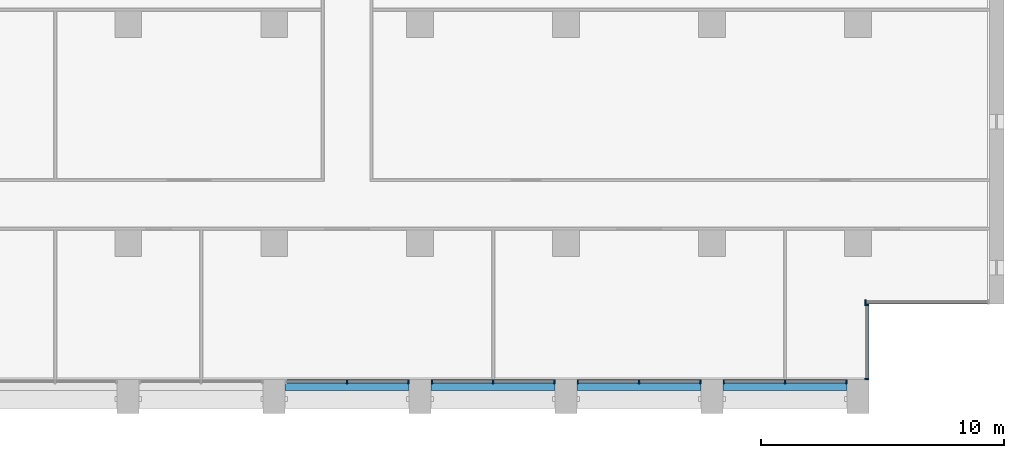
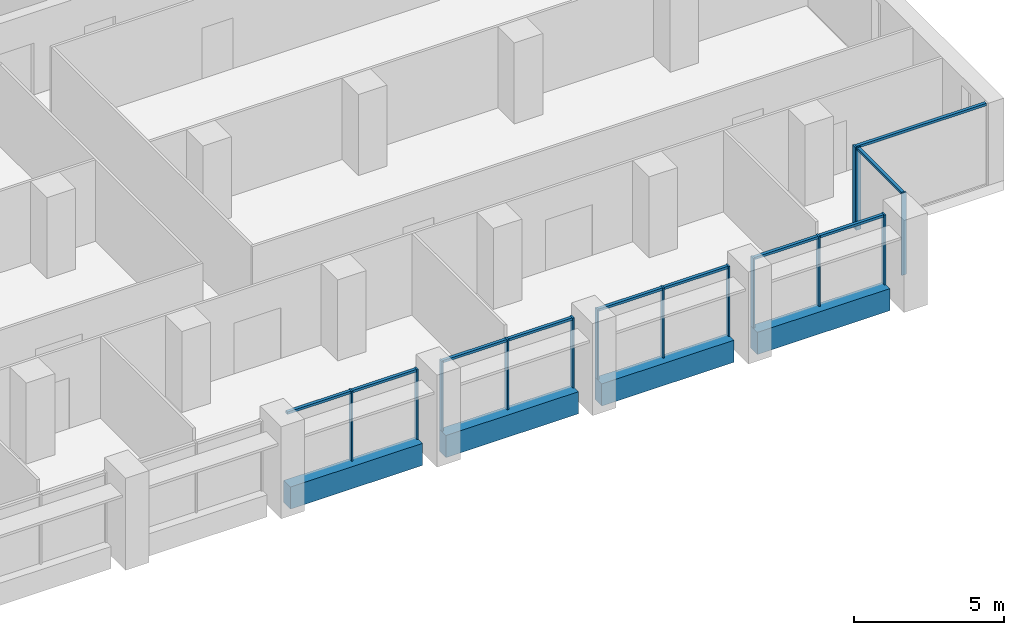
# One storey, part 3 of 17: 24 members, 4 beams, 6 elements without a shape of their own.
"""IFC4 building model written with IfcOpenShell, lengths in metres."""

import ifcopenshell
import ifcopenshell.guid

model = None  # the IFC model being written
_history = None  # IfcOwnerHistory: only IFC2X3 demands one
_inside = {}  # id of a spatial element -> (the spatial element, [elements in it])
_under = {}  # id of a project, library or spatial element -> (it, [spatial elements below it])
_declared = {}  # id of a project -> (the project, [libraries it declares])
_typed = {}  # id of a type object -> (the type object, [elements of that type])
_made_of = {}  # id of a material, layer set ... -> (it, [elements and type objects made of it])


def new_model(schema):
    """Start an empty IFC model of exactly this schema.

    Asked for "IFC4X3", IfcOpenShell would pick the latest addendum, in which some entities
    have other attributes; the version numbers below select the first issue.
    IFC2X3 requires an IfcOwnerHistory on every rooted entity: one is made here for all.
    """
    global model, _history
    if schema == "IFC4X3":
        model = ifcopenshell.file(schema_version=(4, 3, 0, 0))
    else:
        model = ifcopenshell.file(schema=schema)
    _inside.clear()
    _under.clear()
    _declared.clear()
    _typed.clear()
    _made_of.clear()
    _history = None
    if model.schema == "IFC2X3":
        org = make("IfcOrganization", Name="unknown")
        user = make(
            "IfcPersonAndOrganization",
            ThePerson=make("IfcPerson", FamilyName="unknown"),
            TheOrganization=org,
        )
        app = make(
            "IfcApplication",
            ApplicationDeveloper=org,
            Version="unknown",
            ApplicationFullName="unknown",
            ApplicationIdentifier="unknown",
        )
        _history = make(
            "IfcOwnerHistory",
            OwningUser=user,
            OwningApplication=app,
            ChangeAction="ADDED",
            CreationDate=0,
        )
    return model


def make(cls, **values):
    """One entity of the class cls with the attributes given. An attribute that is None is left unset."""
    return model.create_entity(
        cls, **{name: value for name, value in values.items() if value is not None}
    )


def rooted(cls, **values):
    """An entity with a GlobalId (a new one), such as an element, a storey or a relation."""
    return make(cls, GlobalId=ifcopenshell.guid.new(), OwnerHistory=_history, **values)


def si_unit(unit_type, name, prefix=None):
    """IfcSIUnit, for example si_unit("LENGTHUNIT", "METRE", prefix="MILLI")."""
    return make("IfcSIUnit", UnitType=unit_type, Prefix=prefix, Name=name)


def assignment(units):
    """IfcUnitAssignment: the units of a project."""
    return None if units is None else make("IfcUnitAssignment", Units=units)


def point(xyz):
    """IfcCartesianPoint."""
    return None if xyz is None else make("IfcCartesianPoint", Coordinates=xyz)


def direction(xyz):
    """IfcDirection."""
    return None if xyz is None else make("IfcDirection", DirectionRatios=xyz)


def frame(location, z_axis=None, x_axis=None):
    """IfcAxis2Placement3D, a coordinate frame: its origin and axes. An axis left out is left unset."""
    return make(
        "IfcAxis2Placement3D",
        Location=point(location),
        Axis=direction(z_axis),
        RefDirection=direction(x_axis),
    )


def frame_2d(location, x_axis=None):
    """IfcAxis2Placement2D, a coordinate frame in the plane: its origin and x axis."""
    return make(
        "IfcAxis2Placement2D", Location=point(location), RefDirection=direction(x_axis)
    )


def origin():
    """The frame at (0, 0, 0) with its axes left unset."""
    return frame((0.0, 0.0, 0.0))


def origin_2d():
    """The frame at (0, 0) in the plane with its x axis left unset."""
    return frame_2d((0.0, 0.0))


def place(relative_to, where):
    """IfcLocalPlacement: puts the frame where relative to a parent placement (None: the world)."""
    return make(
        "IfcLocalPlacement", PlacementRelTo=relative_to, RelativePlacement=where
    )


def context(
    kind, dimensions, precision=None, world=None, true_north=None, identifier=None
):
    """IfcGeometricRepresentationContext, for example the 3D "Model" context."""
    return make(
        "IfcGeometricRepresentationContext",
        ContextIdentifier=identifier,
        ContextType=kind,
        CoordinateSpaceDimension=dimensions,
        Precision=precision,
        WorldCoordinateSystem=world,
        TrueNorth=true_north,
    )


def subcontext(parent, identifier, kind, view, scale=None):
    """IfcGeometricRepresentationSubContext, for example "Body" below "Model"."""
    return make(
        "IfcGeometricRepresentationSubContext",
        ContextIdentifier=identifier,
        ContextType=kind,
        ParentContext=parent,
        TargetScale=scale,
        TargetView=view,
    )


def project(units=None, contexts=None):
    """IfcProject with its units and contexts."""
    return rooted(
        "IfcProject",
        Name="project",
        RepresentationContexts=contexts,
        UnitsInContext=assignment(units),
    )


def spatial(cls, under=None, at=None, **own):
    """A site, building, storey or space (cls), placed at a placement, below another one or the project."""
    s = rooted(cls, ObjectPlacement=at, **own)
    if under is not None:
        _under.setdefault(under.id(), (under, []))[1].append(s)
    return s


def profile(cls, at=None, kind="AREA", **sizes):
    """A parametric profile (cls). Its sizes go by their IFC names, for example OverallWidth=200.0."""
    return make(cls, ProfileType=kind, Position=at, **sizes)


def rectangle(**sizes):
    """IfcRectangleProfileDef."""
    return profile("IfcRectangleProfileDef", **sizes)


def extrude(swept, where, along, depth):
    """IfcExtrudedAreaSolid: the profile swept, set in the frame where, extruded along a direction by depth."""
    return make(
        "IfcExtrudedAreaSolid",
        SweptArea=swept,
        Position=where,
        ExtrudedDirection=direction(along),
        Depth=depth,
    )


def shape(context_of_items, identifier, shape_type, items):
    """IfcShapeRepresentation: the items that make up one representation, for example the "Body"."""
    return make(
        "IfcShapeRepresentation",
        ContextOfItems=context_of_items,
        RepresentationIdentifier=identifier,
        RepresentationType=shape_type,
        Items=items,
    )


def material(Name=None, Category=None):
    """IfcMaterial."""
    return make("IfcMaterial", Name=Name, Category=Category)


def material_profile(
    of_material, cross_section, Name=None, Category=None, Priority=None
):
    """IfcMaterialProfile: a cross section and its material."""
    return make(
        "IfcMaterialProfile",
        Name=Name,
        Material=of_material,
        Profile=cross_section,
        Priority=Priority,
        Category=Category,
    )


def profile_set(profiles, Name=None, composite=None):
    """IfcMaterialProfileSet."""
    return make(
        "IfcMaterialProfileSet",
        Name=Name,
        MaterialProfiles=profiles,
        CompositeProfile=composite,
    )


def made_of(thing, what):
    """Note that an element or type object is made of a material, layer set ...; save() writes the relation."""
    if what is not None:
        _made_of.setdefault(what.id(), (what, []))[1].append(thing)
    return thing


def type_object(cls, material=None, **own):
    """A type object (cls), such as IfcWallType, which elements share."""
    return made_of(rooted(cls, **own), material)


def element(
    cls,
    number,
    at=None,
    inside=None,
    cuts=None,
    type_object=None,
    material=None,
    context=None,
    identifier="Body",
    shape_type=None,
    held_by="IfcProductDefinitionShape",
    body=None,
    shapes=None,
    **own,
):
    """One element of the class cls, such as IfcWall. Its Tag is "e" and its number.

    at: its placement. inside: the storey or other place that contains it. cuts: it is an
    opening in that element (IfcRelVoidsElement). A single representation is given by context,
    identifier, shape_type and body (its items); several are given by shapes. held_by: the class
    of the entity that holds the representations. save() writes the other relations.
    """
    e = rooted(cls, Tag="e%d" % number, ObjectPlacement=at, **own)
    if body is not None:
        shapes = [shape(context, identifier, shape_type, body)]
    if shapes is not None:
        e.Representation = make(held_by, Representations=shapes)
    if inside is not None:
        _inside.setdefault(inside.id(), (inside, []))[1].append(e)
    if cuts is not None:
        rooted(
            "IfcRelVoidsElement", RelatingBuildingElement=cuts, RelatedOpeningElement=e
        )
    if type_object is not None:
        _typed.setdefault(type_object.id(), (type_object, []))[1].append(e)
    return made_of(e, material)


def aggregate(whole, parts):
    """IfcRelAggregates: a whole, such as a stair, and the parts it consists of."""
    return rooted("IfcRelAggregates", RelatingObject=whole, RelatedObjects=parts)


def save(model, path):
    """Write the relations noted so far, then the file.

    IfcRelAggregates (storeys below a building ...), IfcRelContainedInSpatialStructure (elements
    in a storey), IfcRelDefinesByType, IfcRelAssociatesMaterial and IfcRelDeclares: one each for
    every whole, place, type object, material and project.
    """
    for whole, parts in _under.values():
        aggregate(whole, parts)
    for where, things in _inside.values():
        rooted(
            "IfcRelContainedInSpatialStructure",
            RelatedElements=things,
            RelatingStructure=where,
        )
    for kind, things in _typed.values():
        rooted("IfcRelDefinesByType", RelatedObjects=things, RelatingType=kind)
    for what, things in _made_of.values():
        rooted("IfcRelAssociatesMaterial", RelatedObjects=things, RelatingMaterial=what)
    for by, libraries in _declared.values():
        rooted("IfcRelDeclares", RelatingContext=by, RelatedDefinitions=libraries)
    model.write(path)


model = new_model("IFC4")

# Units and contexts
model_context = context("Model", 3, precision=1e-05, world=origin(), true_north=direction((0.0, 1.0)))
body_context = subcontext(model_context, "Body", "Model", "MODEL_VIEW")
ifc_project = project(units=[si_unit("LENGTHUNIT", "METRE"), si_unit("AREAUNIT", "SQUARE_METRE"), si_unit("VOLUMEUNIT", "CUBIC_METRE"), si_unit("PLANEANGLEUNIT", "RADIAN"), si_unit("MASSUNIT", "GRAM", prefix="KILO")], contexts=[model_context])

# Site, building, storey
site_placement = place(None, origin())
site = spatial("IfcSite", under=ifc_project, at=site_placement, CompositionType="ELEMENT")
building_placement = place(site_placement, origin())
building = spatial("IfcBuilding", under=site, at=building_placement, Name="Calvaro Tower", CompositionType="ELEMENT")
storey_placement = place(building_placement, frame((0.0, 0.0, 196.75)))
storey = spatial("IfcBuildingStorey", under=building, at=storey_placement, Name="L49", CompositionType="ELEMENT", Elevation=196.75)

# Curtain wall, members
ifc_material_1 = material(Name="Anodised aluminium", Category="aluminium")
curtain_wall_type = type_object("IfcCurtainWallType", Name="Office curtain wall, upper zone", PredefinedType="NOTDEFINED", material=ifc_material_1)
curtain_wall_1_placement = place(storey_placement, origin())
curtain_wall_1 = element("IfcCurtainWall", 1, at=curtain_wall_1_placement, inside=storey, type_object=curtain_wall_type, Name="CW3 south curtain wall", PredefinedType="NOTDEFINED")
ifc_material_2 = material(Name="Anodised aluminium", Category="aluminium")
ifc_material_profile_1 = material_profile(ifc_material_2, rectangle(XDim=0.179931640625, YDim=0.06005859375, at=origin_2d()), Name="Mullion S3 60 x 180")
ifc_profile_set_1 = profile_set([ifc_material_profile_1], Name="Anodised aluminium")
member_type_1 = type_object("IfcMemberType", Name="Mullion S3 60 x 180", PredefinedType="MULLION", material=ifc_profile_set_1)
member_1_placement = place(storey_placement, frame((45.0, 4.31005859375, 0.0), z_axis=(0.0, 0.0, 1.0), x_axis=(0.0, 1.0, 0.0)))
member_1 = element("IfcMember", 2, at=member_1_placement, type_object=member_type_1, Name="CW3 mullion 2", PredefinedType="MULLION", context=body_context, shape_type="SweptSolid", body=[
    extrude(rectangle(XDim=0.179931640625, YDim=0.06005859375, at=origin_2d()), origin(), (0.0, 0.0, 1.0), 2.85009765625),
])
member_2_placement = place(storey_placement, frame((47.52001953125, 4.31005859375, 0.0), z_axis=(0.0, 0.0, 1.0), x_axis=(0.0, 1.0, 0.0)))
member_2 = element("IfcMember", 3, at=member_2_placement, type_object=member_type_1, Name="CW3 mullion 3", PredefinedType="MULLION", context=body_context, shape_type="SweptSolid", body=[
    extrude(rectangle(XDim=0.179931640625, YDim=0.06005859375, at=origin_2d()), origin(), (0.0, 0.0, 1.0), 2.85009765625),
])

curtain_wall_2_placement = place(storey_placement, origin())
curtain_wall_2 = element("IfcCurtainWall", 4, at=curtain_wall_2_placement, inside=storey, type_object=curtain_wall_type, Name="CW3 south curtain wall", PredefinedType="NOTDEFINED")
member_3_placement = place(storey_placement, frame((48.47998046875, 4.31005859375, 0.0), z_axis=(0.0, 0.0, 1.0), x_axis=(0.0, 1.0, 0.0)))
member_3 = element("IfcMember", 5, at=member_3_placement, type_object=member_type_1, Name="CW3 mullion 1", PredefinedType="MULLION", context=body_context, shape_type="SweptSolid", body=[
    extrude(rectangle(XDim=0.179931640625, YDim=0.06005859375, at=origin_2d()), origin(), (0.0, 0.0, 1.0), 2.85009765625),
])
member_4_placement = place(storey_placement, frame((51.0, 4.31005859375, 0.0), z_axis=(0.0, 0.0, 1.0), x_axis=(0.0, 1.0, 0.0)))
member_4 = element("IfcMember", 6, at=member_4_placement, type_object=member_type_1, Name="CW3 mullion 2", PredefinedType="MULLION", context=body_context, shape_type="SweptSolid", body=[
    extrude(rectangle(XDim=0.179931640625, YDim=0.06005859375, at=origin_2d()), origin(), (0.0, 0.0, 1.0), 2.85009765625),
])
member_5_placement = place(storey_placement, frame((53.52001953125, 4.31005859375, 0.0), z_axis=(0.0, 0.0, 1.0), x_axis=(0.0, 1.0, 0.0)))
member_5 = element("IfcMember", 7, at=member_5_placement, type_object=member_type_1, Name="CW3 mullion 3", PredefinedType="MULLION", context=body_context, shape_type="SweptSolid", body=[
    extrude(rectangle(XDim=0.179931640625, YDim=0.06005859375, at=origin_2d()), origin(), (0.0, 0.0, 1.0), 2.85009765625),
])

curtain_wall_3_placement = place(storey_placement, origin())
curtain_wall_3 = element("IfcCurtainWall", 8, at=curtain_wall_3_placement, inside=storey, type_object=curtain_wall_type, Name="CW3 south curtain wall", PredefinedType="NOTDEFINED")
member_6_placement = place(storey_placement, frame((54.47998046875, 4.31005859375, 0.0), z_axis=(0.0, 0.0, 1.0), x_axis=(0.0, 1.0, 0.0)))
member_6 = element("IfcMember", 9, at=member_6_placement, type_object=member_type_1, Name="CW3 mullion 1", PredefinedType="MULLION", context=body_context, shape_type="SweptSolid", body=[
    extrude(rectangle(XDim=0.179931640625, YDim=0.06005859375, at=origin_2d()), origin(), (0.0, 0.0, 1.0), 2.85009765625),
])
member_7_placement = place(storey_placement, frame((57.0, 4.31005859375, 0.0), z_axis=(0.0, 0.0, 1.0), x_axis=(0.0, 1.0, 0.0)))
member_7 = element("IfcMember", 10, at=member_7_placement, type_object=member_type_1, Name="CW3 mullion 2", PredefinedType="MULLION", context=body_context, shape_type="SweptSolid", body=[
    extrude(rectangle(XDim=0.179931640625, YDim=0.06005859375, at=origin_2d()), origin(), (0.0, 0.0, 1.0), 2.85009765625),
])
member_8_placement = place(storey_placement, frame((59.52001953125, 4.31005859375, 0.0), z_axis=(0.0, 0.0, 1.0), x_axis=(0.0, 1.0, 0.0)))
member_8 = element("IfcMember", 11, at=member_8_placement, type_object=member_type_1, Name="CW3 mullion 3", PredefinedType="MULLION", context=body_context, shape_type="SweptSolid", body=[
    extrude(rectangle(XDim=0.179931640625, YDim=0.06005859375, at=origin_2d()), origin(), (0.0, 0.0, 1.0), 2.85009765625),
])

curtain_wall_4_placement = place(storey_placement, origin())
curtain_wall_4 = element("IfcCurtainWall", 12, at=curtain_wall_4_placement, inside=storey, type_object=curtain_wall_type, Name="CW3 south curtain wall", PredefinedType="NOTDEFINED")
member_9_placement = place(storey_placement, frame((60.47998046875, 4.31005859375, 0.0), z_axis=(0.0, 0.0, 1.0), x_axis=(0.0, 1.0, 0.0)))
member_9 = element("IfcMember", 13, at=member_9_placement, type_object=member_type_1, Name="CW3 mullion 1", PredefinedType="MULLION", context=body_context, shape_type="SweptSolid", body=[
    extrude(rectangle(XDim=0.179931640625, YDim=0.06005859375, at=origin_2d()), origin(), (0.0, 0.0, 1.0), 2.85009765625),
])
member_10_placement = place(storey_placement, frame((63.0, 4.31005859375, 0.0), z_axis=(0.0, 0.0, 1.0), x_axis=(0.0, 1.0, 0.0)))
member_10 = element("IfcMember", 14, at=member_10_placement, type_object=member_type_1, Name="CW3 mullion 2", PredefinedType="MULLION", context=body_context, shape_type="SweptSolid", body=[
    extrude(rectangle(XDim=0.179931640625, YDim=0.06005859375, at=origin_2d()), origin(), (0.0, 0.0, 1.0), 2.85009765625),
])
member_11_placement = place(storey_placement, frame((65.52001953125, 4.31005859375, 0.0), z_axis=(0.0, 0.0, 1.0), x_axis=(0.0, 1.0, 0.0)))
member_11 = element("IfcMember", 15, at=member_11_placement, type_object=member_type_1, Name="CW3 mullion 3", PredefinedType="MULLION", context=body_context, shape_type="SweptSolid", body=[
    extrude(rectangle(XDim=0.179931640625, YDim=0.06005859375, at=origin_2d()), origin(), (0.0, 0.0, 1.0), 2.85009765625),
])

curtain_wall_5_placement = place(storey_placement, origin())
curtain_wall_5 = element("IfcCurtainWall", 16, at=curtain_wall_5_placement, inside=storey, type_object=curtain_wall_type, Name="CW3 corner curtain wall", PredefinedType="NOTDEFINED")
member_12_placement = place(storey_placement, frame((66.360107421875, 4.429931640625, 0.0), z_axis=(0.0, 0.0, 1.0), x_axis=(-1.0, 0.0, 0.0)))
member_12 = element("IfcMember", 17, at=member_12_placement, type_object=member_type_1, Name="CW3 mullion 1", PredefinedType="MULLION", context=body_context, shape_type="SweptSolid", body=[
    extrude(rectangle(XDim=0.179931640625, YDim=0.06005859375, at=origin_2d()), origin(), (0.0, 0.0, 1.0), 3.35009765625),
])
member_13_placement = place(storey_placement, frame((66.360107421875, 7.469970703125, 0.0), z_axis=(0.0, 0.0, 1.0), x_axis=(-1.0, 0.0, 0.0)))
member_13 = element("IfcMember", 18, at=member_13_placement, type_object=member_type_1, Name="CW3 mullion 2", PredefinedType="MULLION", context=body_context, shape_type="SweptSolid", body=[
    extrude(rectangle(XDim=0.179931640625, YDim=0.06005859375, at=origin_2d()), origin(), (0.0, 0.0, 1.0), 3.35009765625),
])

# Curtain wall, member
curtain_wall_6_placement = place(storey_placement, origin())
curtain_wall_6 = element("IfcCurtainWall", 19, at=curtain_wall_6_placement, inside=storey, type_object=curtain_wall_type, Name="CW3 corner curtain wall", PredefinedType="NOTDEFINED")
member_14_placement = place(storey_placement, frame((66.300048828125, 7.590087890625, 0.0), z_axis=(0.0, 0.0, 1.0), x_axis=(0.0, 1.0, 0.0)))
member_14 = element("IfcMember", 20, at=member_14_placement, type_object=member_type_1, Name="CW3 mullion 1", PredefinedType="MULLION", context=body_context, shape_type="SweptSolid", body=[
    extrude(rectangle(XDim=0.179931640625, YDim=0.06005859375, at=origin_2d()), origin(), (0.0, 0.0, 1.0), 3.35009765625),
])

# Beams
ifc_material_3 = material(Name="Concrete C50/60 precast", Category="concrete")
ifc_material_profile_2 = material_profile(ifc_material_3, rectangle(XDim=0.449951171875, YDim=0.89990234375, at=origin_2d()), Name="RC 450x900")
ifc_profile_set_2 = profile_set([ifc_material_profile_2], Name="Concrete C50/60 precast")
beam_type = type_object("IfcBeamType", Name="Spandrel beam 450x900 C50/60", PredefinedType="SPANDREL", material=ifc_profile_set_2)
for number, where, z_axis, x_axis, name in (
    (21, (42.449951171875, 4.175048828125, -0.449951171875), (1.0, 0.0, 0.0), (0.0, 1.0, 0.0), "Spandrel beam"),
    (22, (48.449951171875, 4.175048828125, -0.449951171875), (1.0, 0.0, 0.0), (0.0, 1.0, 0.0), "Spandrel beam"),
    (23, (54.449951171875, 4.175048828125, -0.449951171875), (1.0, 0.0, 0.0), (0.0, 1.0, 0.0), "Spandrel beam"),
    (24, (60.449951171875, 4.175048828125, -0.449951171875), (1.0, 0.0, 0.0), (0.0, 1.0, 0.0), "Spandrel beam"),
):
    element("IfcBeam", number, at=place(storey_placement, frame(where, z_axis=z_axis, x_axis=x_axis)), inside=storey, type_object=beam_type, Name=name, PredefinedType="SPANDREL", context=body_context, shape_type="SweptSolid", body=[
        extrude(rectangle(XDim=0.449951171875, YDim=0.89990234375, at=origin_2d()), origin(), (0.0, 0.0, 1.0), 5.10009765625),
    ])

# Member
ifc_material_4 = material(Name="Anodised aluminium", Category="aluminium")
ifc_material_profile_3 = material_profile(ifc_material_4, rectangle(XDim=0.1201171875, YDim=0.10009765625, at=origin_2d()), Name="Transom S3 100 x 120")
ifc_profile_set_3 = profile_set([ifc_material_profile_3], Name="Anodised aluminium")
member_type_2 = type_object("IfcMemberType", Name="Transom S3 100 x 120", PredefinedType="USERDEFINED", material=ifc_profile_set_3)
member_15_placement = place(storey_placement, frame((42.510009765625, 4.31005859375, 2.800048828125), z_axis=(1.0, 0.0, 0.0), x_axis=(0.0, 1.0, 0.0)))
member_15 = element("IfcMember", 25, at=member_15_placement, type_object=member_type_2, Name="CW3 transom 1.1", ObjectType="TRANSOM", PredefinedType="USERDEFINED", context=body_context, shape_type="SweptSolid", body=[
    extrude(rectangle(XDim=0.1201171875, YDim=0.10009765625, at=origin_2d()), origin(), (0.0, 0.0, 1.0), 2.4599609375),
])

member_16_placement = place(storey_placement, frame((45.030029296875, 4.31005859375, 2.800048828125), z_axis=(1.0, 0.0, 0.0), x_axis=(0.0, 1.0, 0.0)))
member_16 = element("IfcMember", 26, at=member_16_placement, type_object=member_type_2, Name="CW3 transom 2.1", ObjectType="TRANSOM", PredefinedType="USERDEFINED", context=body_context, shape_type="SweptSolid", body=[
    extrude(rectangle(XDim=0.1201171875, YDim=0.10009765625, at=origin_2d()), origin(), (0.0, 0.0, 1.0), 2.4599609375),
])

aggregate(curtain_wall_1, [member_1, member_2, member_15, member_16])

member_17_placement = place(storey_placement, frame((48.510009765625, 4.31005859375, 2.800048828125), z_axis=(1.0, 0.0, 0.0), x_axis=(0.0, 1.0, 0.0)))
member_17 = element("IfcMember", 27, at=member_17_placement, type_object=member_type_2, Name="CW3 transom 1.1", ObjectType="TRANSOM", PredefinedType="USERDEFINED", context=body_context, shape_type="SweptSolid", body=[
    extrude(rectangle(XDim=0.1201171875, YDim=0.10009765625, at=origin_2d()), origin(), (0.0, 0.0, 1.0), 2.4599609375),
])

member_18_placement = place(storey_placement, frame((51.030029296875, 4.31005859375, 2.800048828125), z_axis=(1.0, 0.0, 0.0), x_axis=(0.0, 1.0, 0.0)))
member_18 = element("IfcMember", 28, at=member_18_placement, type_object=member_type_2, Name="CW3 transom 2.1", ObjectType="TRANSOM", PredefinedType="USERDEFINED", context=body_context, shape_type="SweptSolid", body=[
    extrude(rectangle(XDim=0.1201171875, YDim=0.10009765625, at=origin_2d()), origin(), (0.0, 0.0, 1.0), 2.4599609375),
])

aggregate(curtain_wall_2, [member_3, member_4, member_5, member_17, member_18])

member_19_placement = place(storey_placement, frame((54.510009765625, 4.31005859375, 2.800048828125), z_axis=(1.0, 0.0, 0.0), x_axis=(0.0, 1.0, 0.0)))
member_19 = element("IfcMember", 29, at=member_19_placement, type_object=member_type_2, Name="CW3 transom 1.1", ObjectType="TRANSOM", PredefinedType="USERDEFINED", context=body_context, shape_type="SweptSolid", body=[
    extrude(rectangle(XDim=0.1201171875, YDim=0.10009765625, at=origin_2d()), origin(), (0.0, 0.0, 1.0), 2.4599609375),
])

member_20_placement = place(storey_placement, frame((57.030029296875, 4.31005859375, 2.800048828125), z_axis=(1.0, 0.0, 0.0), x_axis=(0.0, 1.0, 0.0)))
member_20 = element("IfcMember", 30, at=member_20_placement, type_object=member_type_2, Name="CW3 transom 2.1", ObjectType="TRANSOM", PredefinedType="USERDEFINED", context=body_context, shape_type="SweptSolid", body=[
    extrude(rectangle(XDim=0.1201171875, YDim=0.10009765625, at=origin_2d()), origin(), (0.0, 0.0, 1.0), 2.4599609375),
])

aggregate(curtain_wall_3, [member_6, member_7, member_8, member_19, member_20])

member_21_placement = place(storey_placement, frame((60.510009765625, 4.31005859375, 2.800048828125), z_axis=(1.0, 0.0, 0.0), x_axis=(0.0, 1.0, 0.0)))
member_21 = element("IfcMember", 31, at=member_21_placement, type_object=member_type_2, Name="CW3 transom 1.1", ObjectType="TRANSOM", PredefinedType="USERDEFINED", context=body_context, shape_type="SweptSolid", body=[
    extrude(rectangle(XDim=0.1201171875, YDim=0.10009765625, at=origin_2d()), origin(), (0.0, 0.0, 1.0), 2.4599609375),
])

member_22_placement = place(storey_placement, frame((63.030029296875, 4.31005859375, 2.800048828125), z_axis=(1.0, 0.0, 0.0), x_axis=(0.0, 1.0, 0.0)))
member_22 = element("IfcMember", 32, at=member_22_placement, type_object=member_type_2, Name="CW3 transom 2.1", ObjectType="TRANSOM", PredefinedType="USERDEFINED", context=body_context, shape_type="SweptSolid", body=[
    extrude(rectangle(XDim=0.1201171875, YDim=0.10009765625, at=origin_2d()), origin(), (0.0, 0.0, 1.0), 2.4599609375),
])

aggregate(curtain_wall_4, [member_9, member_10, member_11, member_21, member_22])

member_23_placement = place(storey_placement, frame((66.360107421875, 4.4599609375, 3.300048828125), z_axis=(0.0, 1.0, 0.0), x_axis=(-1.0, 0.0, 0.0)))
member_23 = element("IfcMember", 33, at=member_23_placement, type_object=member_type_2, Name="CW3 transom 1.1", ObjectType="TRANSOM", PredefinedType="USERDEFINED", context=body_context, shape_type="SweptSolid", body=[
    extrude(rectangle(XDim=0.1201171875, YDim=0.10009765625, at=origin_2d()), origin(), (0.0, 0.0, 1.0), 2.97998046875),
])

aggregate(curtain_wall_5, [member_12, member_13, member_23])

member_24_placement = place(storey_placement, frame((66.330078125, 7.590087890625, 3.300048828125), z_axis=(1.0, 0.0, 0.0), x_axis=(0.0, 1.0, 0.0)))
member_24 = element("IfcMember", 34, at=member_24_placement, type_object=member_type_2, Name="CW3 transom 1.1", ObjectType="TRANSOM", PredefinedType="USERDEFINED", context=body_context, shape_type="SweptSolid", body=[
    extrude(rectangle(XDim=0.1201171875, YDim=0.10009765625, at=origin_2d()), origin(), (0.0, 0.0, 1.0), 5.010009765625),
])

aggregate(curtain_wall_6, [member_14, member_24])

save(model, "model.ifc")
